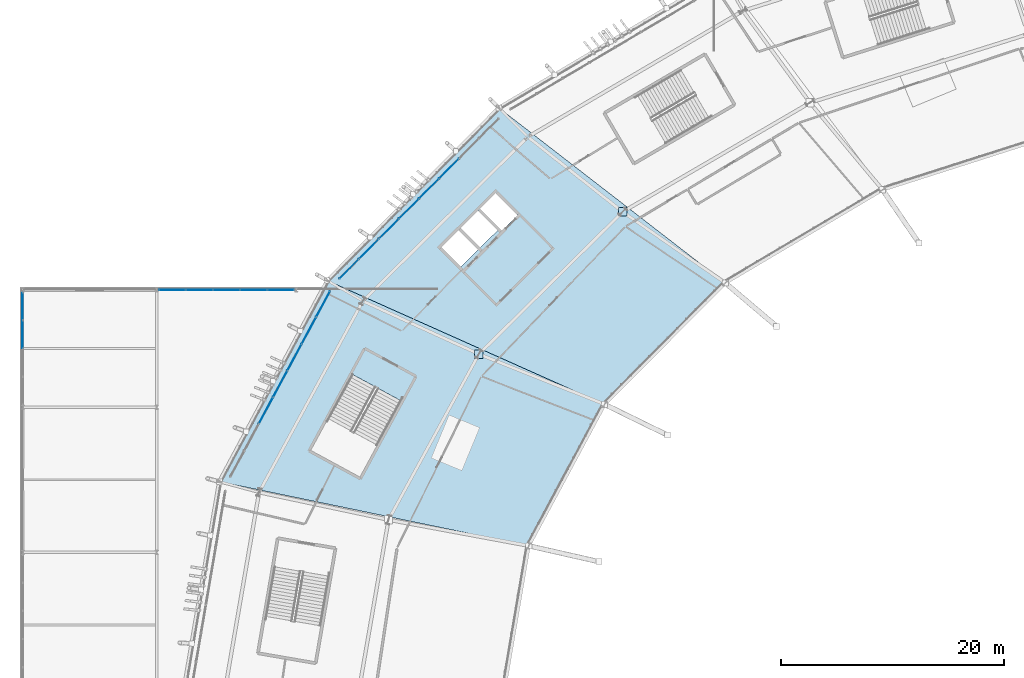
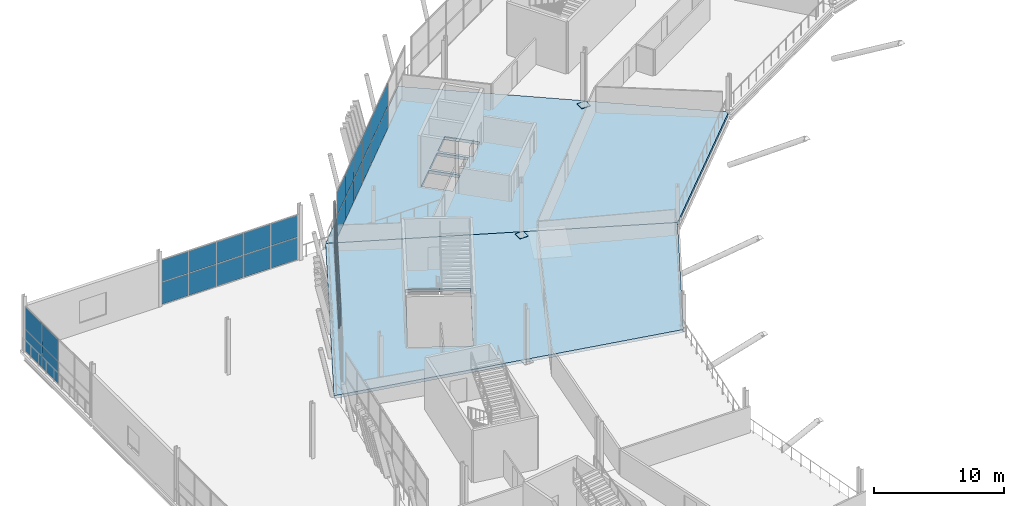
# One storey, part 85 of 168: 37 plates, 2 slabs, 4 elements without a shape of their own.
"""IFC4 building model written with IfcOpenShell, lengths in metres."""

from ifc_helpers import new_model, si_unit, direction, frame, origin, origin_2d, place, context, subcontext, project, spatial, polyline, rectangle, outline, extrude, material, layer, layer_set, type_object, element, aggregate, save


model = new_model("IFC4")

# Units and contexts
model_context = context("Model", 3, precision=1e-05, world=origin(), true_north=direction((0.0, 1.0)))
body_context = subcontext(model_context, "Body", "Model", "MODEL_VIEW")
ifc_project = project(units=[si_unit("LENGTHUNIT", "METRE"), si_unit("AREAUNIT", "SQUARE_METRE"), si_unit("VOLUMEUNIT", "CUBIC_METRE"), si_unit("PLANEANGLEUNIT", "RADIAN"), si_unit("MASSUNIT", "GRAM", prefix="KILO")], contexts=[model_context])

# Site, building, storey
site_placement = place(None, origin())
site = spatial("IfcSite", under=ifc_project, at=site_placement, CompositionType="ELEMENT")
building_placement = place(site_placement, origin())
building = spatial("IfcBuilding", under=site, at=building_placement, Name="Zlatoyarsky Gate Stadium", CompositionType="ELEMENT")
storey_placement = place(building_placement, frame((0.0, 0.0, 15.60009765625)))
storey = spatial("IfcBuildingStorey", under=building, at=storey_placement, Name="L03", CompositionType="ELEMENT", Elevation=15.60009765625)

# Slabs
ifc_material_1 = material(Name="Concrete C40/50", Category="concrete")
ifc_layer_1 = layer(ifc_material_1, 0.280029296875)
ifc_layer_set_1 = layer_set([ifc_layer_1], Name="Concrete C40/50")
slab_type = type_object("IfcSlabType", Name="CONCRETE HOSPITALITY SLAB 280", PredefinedType="FLOOR", material=ifc_layer_set_1)
slab_1_placement = place(storey_placement, frame((0.0, 0.0, -0.280029296875)))
element("IfcSlab", 1, at=slab_1_placement, inside=storey, type_object=slab_type, Name="L03 bowl sector 09 slab", PredefinedType="FLOOR", context=body_context, shape_type="SweptSolid", body=[
    extrude(outline(polyline([(52.1103515625, 106.25), (27.25341796875, 117.35107421875), (42.62109375, 132.822509765625), (62.916748046875, 117.123046875), (52.1103515625, 106.25)]), holes=[polyline([(39.02490234375, 121.870849609375), (37.46533203125, 120.319091796875), (39.228759765625, 118.547119140625), (40.7880859375, 120.0986328125), (39.02490234375, 121.870849609375)]), polyline([(40.76171875, 123.598876953125), (39.2021484375, 122.047119140625), (40.965576171875, 120.27490234375), (42.52490234375, 121.82666015625), (40.76171875, 123.598876953125)]), polyline([(42.356689453125, 125.185791015625), (40.93896484375, 123.775146484375), (42.913818359375, 121.790283203125), (44.331787109375, 123.200927734375), (42.356689453125, 125.185791015625)])]), origin(), (0.0, 0.0, 1.0), 0.280029296875),
])
slab_2_placement = place(storey_placement, frame((0.0, 0.0, -0.280029296875)))
element("IfcSlab", 2, at=slab_2_placement, inside=storey, type_object=slab_type, Name="L03 bowl sector 10 slab", PredefinedType="FLOOR", context=body_context, shape_type="SweptSolid", body=[
    extrude(outline(polyline([(45.31689453125, 93.587890625), (17.5927734375, 99.33447265625), (27.25341796875, 117.35107421875), (52.1103515625, 106.25), (45.31689453125, 93.587890625)]), holes=[polyline([(33.891845703125, 106.561279296875), (29.4970703125, 108.94580078125), (25.80126953125, 102.1337890625), (30.196044921875, 99.749267578125), (33.891845703125, 106.561279296875)])]), origin(), (0.0, 0.0, 1.0), 0.280029296875),
])

# Plates
ifc_material_2 = material(Name="Steel S355", Category="steel")
ifc_layer_2 = layer(ifc_material_2, 0.0400390625)
ifc_layer_set_2 = layer_set([ifc_layer_2], Name="Steel S355")
plate_type_1 = type_object("IfcPlateType", Name="STEEL COLUMN BASE PLATE 40", PredefinedType="USERDEFINED", material=ifc_layer_set_2)
for number, where, z_axis, x_axis, name in (
    (3, (53.724365234375, 123.487060546875, 0.0), (0.0, 0.0, 1.0), (1.0, 0.0, 0.0), "Column base plate BP-01 at RB-09 L03"),
    (4, (40.851806640625, 110.75, 0.0), (0.0, 0.0, 1.0), (1.0, 0.0, 0.0), "Column base plate BP-01 at RB-10 L03"),
):
    element("IfcPlate", number, at=place(storey_placement, frame(where, z_axis=z_axis, x_axis=x_axis)), inside=storey, type_object=plate_type_1, Name=name, ObjectType="BASE PLATE", PredefinedType="USERDEFINED", context=body_context, shape_type="SweptSolid", body=[
        extrude(rectangle(XDim=0.75, YDim=0.75, at=origin_2d()), origin(), (0.0, 0.0, 1.0), 0.0400390625),
    ])

# Curtain wall, plates
ifc_material_3 = material(Name="Thermally broken anodised aluminium curtain wall", Category="aluminium")
curtain_wall_type_1 = type_object("IfcCurtainWallType", Name="UNITISED CORPORATE BOX GLAZING L03", PredefinedType="USERDEFINED", material=ifc_material_3)
curtain_wall_1_placement = place(storey_placement, origin())
curtain_wall_1 = element("IfcCurtainWall", 5, at=curtain_wall_1_placement, inside=storey, type_object=curtain_wall_type_1, Name="Curtain wall CW-L03-09", ObjectType="UNITISED GLAZING", PredefinedType="USERDEFINED")
ifc_material_4 = material(Name="Triple-glazed argon low-e architectural glass", Category="glass")
ifc_layer_3 = layer(ifc_material_4, 0.0380859375)
ifc_layer_set_3 = layer_set([ifc_layer_3], Name="Triple-glazed argon low-e architectural glass")
plate_type_2 = type_object("IfcPlateType", Name="TRIPLE GLAZED LOW E CURTAIN PANEL 38", PredefinedType="CURTAIN_PANEL", material=ifc_layer_set_3)
plate_1_placement = place(storey_placement, frame((38.176513671875, 127.365234375, 0.06494140625), z_axis=(0.0, 0.0, 1.0), x_axis=(-0.705488725202, -0.708721143054, 0.0)))
plate_1 = element("IfcPlate", 6, at=plate_1_placement, type_object=plate_type_2, Name="CW-UG3 panel 3.1", PredefinedType="CURTAIN_PANEL", context=body_context, shape_type="SweptSolid", body=[
    extrude(rectangle(XDim=2.4755859375, YDim=0.0380859375, at=origin_2d()), origin(), (0.0, 0.0, 1.0), 2.052490234375),
])
plate_2_placement = place(storey_placement, frame((38.176513671875, 127.365234375, 2.18212890625), z_axis=(0.0, 0.0, 1.0), x_axis=(-0.705488725202, -0.708721143054, 0.0)))
plate_2 = element("IfcPlate", 7, at=plate_2_placement, type_object=plate_type_2, Name="CW-UG3 panel 3.2", PredefinedType="CURTAIN_PANEL", context=body_context, shape_type="SweptSolid", body=[
    extrude(rectangle(XDim=2.4755859375, YDim=0.0380859375, at=origin_2d()), origin(), (0.0, 0.0, 1.0), 2.132568359375),
])
plate_3_placement = place(storey_placement, frame((36.38427734375, 125.564697265625, 0.06494140625), z_axis=(0.0, 0.0, 1.0), x_axis=(-0.705488725202, -0.708721143054, 0.0)))
plate_3 = element("IfcPlate", 8, at=plate_3_placement, type_object=plate_type_2, Name="CW-UG3 panel 4.1", PredefinedType="CURTAIN_PANEL", context=body_context, shape_type="SweptSolid", body=[
    extrude(rectangle(XDim=2.4755859375, YDim=0.0380859375, at=origin_2d()), origin(), (0.0, 0.0, 1.0), 2.052490234375),
])
plate_4_placement = place(storey_placement, frame((36.38427734375, 125.564697265625, 2.18212890625), z_axis=(0.0, 0.0, 1.0), x_axis=(-0.705488725202, -0.708721143054, 0.0)))
plate_4 = element("IfcPlate", 9, at=plate_4_placement, type_object=plate_type_2, Name="CW-UG3 panel 4.2", PredefinedType="CURTAIN_PANEL", context=body_context, shape_type="SweptSolid", body=[
    extrude(rectangle(XDim=2.4755859375, YDim=0.0380859375, at=origin_2d()), origin(), (0.0, 0.0, 1.0), 2.132568359375),
])
plate_5_placement = place(storey_placement, frame((34.591796875, 123.763916015625, 0.06494140625), z_axis=(0.0, 0.0, 1.0), x_axis=(-0.705488725202, -0.708721143054, 0.0)))
plate_5 = element("IfcPlate", 10, at=plate_5_placement, type_object=plate_type_2, Name="CW-UG3 panel 5.1", PredefinedType="CURTAIN_PANEL", context=body_context, shape_type="SweptSolid", body=[
    extrude(rectangle(XDim=2.4755859375, YDim=0.0380859375, at=origin_2d()), origin(), (0.0, 0.0, 1.0), 2.052490234375),
])
plate_6_placement = place(storey_placement, frame((34.591796875, 123.763916015625, 2.18212890625), z_axis=(0.0, 0.0, 1.0), x_axis=(-0.705488725202, -0.708721143054, 0.0)))
plate_6 = element("IfcPlate", 11, at=plate_6_placement, type_object=plate_type_2, Name="CW-UG3 panel 5.2", PredefinedType="CURTAIN_PANEL", context=body_context, shape_type="SweptSolid", body=[
    extrude(rectangle(XDim=2.4755859375, YDim=0.0380859375, at=origin_2d()), origin(), (0.0, 0.0, 1.0), 2.132568359375),
])
plate_7_placement = place(storey_placement, frame((32.79931640625, 121.96337890625, 0.06494140625), z_axis=(0.0, 0.0, 1.0), x_axis=(-0.705488725202, -0.708721143054, 0.0)))
plate_7 = element("IfcPlate", 12, at=plate_7_placement, type_object=plate_type_2, Name="CW-UG3 panel 6.1", PredefinedType="CURTAIN_PANEL", context=body_context, shape_type="SweptSolid", body=[
    extrude(rectangle(XDim=2.4755859375, YDim=0.0380859375, at=origin_2d()), origin(), (0.0, 0.0, 1.0), 2.052490234375),
])
plate_8_placement = place(storey_placement, frame((32.79931640625, 121.96337890625, 2.18212890625), z_axis=(0.0, 0.0, 1.0), x_axis=(-0.705488725202, -0.708721143054, 0.0)))
plate_8 = element("IfcPlate", 13, at=plate_8_placement, type_object=plate_type_2, Name="CW-UG3 panel 6.2", PredefinedType="CURTAIN_PANEL", context=body_context, shape_type="SweptSolid", body=[
    extrude(rectangle(XDim=2.4755859375, YDim=0.0380859375, at=origin_2d()), origin(), (0.0, 0.0, 1.0), 2.132568359375),
])
plate_9_placement = place(storey_placement, frame((31.0068359375, 120.162841796875, 0.06494140625), z_axis=(0.0, 0.0, 1.0), x_axis=(-0.705488725202, -0.708721143054, 0.0)))
plate_9 = element("IfcPlate", 14, at=plate_9_placement, type_object=plate_type_2, Name="CW-UG3 panel 7.1", PredefinedType="CURTAIN_PANEL", context=body_context, shape_type="SweptSolid", body=[
    extrude(rectangle(XDim=2.4755859375, YDim=0.0380859375, at=origin_2d()), origin(), (0.0, 0.0, 1.0), 2.052490234375),
])
plate_10_placement = place(storey_placement, frame((31.0068359375, 120.162841796875, 2.18212890625), z_axis=(0.0, 0.0, 1.0), x_axis=(-0.705488725202, -0.708721143054, 0.0)))
plate_10 = element("IfcPlate", 15, at=plate_10_placement, type_object=plate_type_2, Name="CW-UG3 panel 7.2", PredefinedType="CURTAIN_PANEL", context=body_context, shape_type="SweptSolid", body=[
    extrude(rectangle(XDim=2.4755859375, YDim=0.0380859375, at=origin_2d()), origin(), (0.0, 0.0, 1.0), 2.132568359375),
])
plate_11_placement = place(storey_placement, frame((29.22607421875, 118.37353515625, 0.06494140625), z_axis=(0.0, 0.0, 1.0), x_axis=(-0.705488725202, -0.708721143054, 0.0)))
plate_11 = element("IfcPlate", 16, at=plate_11_placement, type_object=plate_type_2, Name="CW-UG3 panel 8.1", PredefinedType="CURTAIN_PANEL", context=body_context, shape_type="SweptSolid", body=[
    extrude(rectangle(XDim=2.443115234375, YDim=0.0380859375, at=origin_2d()), origin(), (0.0, 0.0, 1.0), 2.052490234375),
])
plate_12_placement = place(storey_placement, frame((29.22607421875, 118.37353515625, 2.18212890625), z_axis=(0.0, 0.0, 1.0), x_axis=(-0.705488725202, -0.708721143054, 0.0)))
plate_12 = element("IfcPlate", 17, at=plate_12_placement, type_object=plate_type_2, Name="CW-UG3 panel 8.2", PredefinedType="CURTAIN_PANEL", context=body_context, shape_type="SweptSolid", body=[
    extrude(rectangle(XDim=2.443115234375, YDim=0.0380859375, at=origin_2d()), origin(), (0.0, 0.0, 1.0), 2.132568359375),
])
aggregate(curtain_wall_1, [plate_1, plate_2, plate_3, plate_4, plate_5, plate_6, plate_7, plate_8, plate_9, plate_10, plate_11, plate_12])

curtain_wall_2_placement = place(storey_placement, origin())
curtain_wall_2 = element("IfcCurtainWall", 18, at=curtain_wall_2_placement, inside=storey, type_object=curtain_wall_type_1, Name="Curtain wall CW-L03-10", ObjectType="UNITISED GLAZING", PredefinedType="USERDEFINED")
plate_13_placement = place(storey_placement, frame((26.9033203125, 115.22119140625, 0.06494140625), z_axis=(0.0, 0.0, 1.0), x_axis=(-0.473344857694, -0.880877202392, 0.0)))
plate_13 = element("IfcPlate", 19, at=plate_13_placement, type_object=plate_type_2, Name="CW-UG3 panel 1.1", PredefinedType="CURTAIN_PANEL", context=body_context, shape_type="SweptSolid", body=[
    extrude(rectangle(XDim=2.611328125, YDim=0.0380859375, at=origin_2d()), origin(), (0.0, 0.0, 1.0), 2.052490234375),
])
plate_14_placement = place(storey_placement, frame((26.9033203125, 115.22119140625, 2.18212890625), z_axis=(0.0, 0.0, 1.0), x_axis=(-0.473344857694, -0.880877202392, 0.0)))
plate_14 = element("IfcPlate", 20, at=plate_14_placement, type_object=plate_type_2, Name="CW-UG3 panel 1.2", PredefinedType="CURTAIN_PANEL", context=body_context, shape_type="SweptSolid", body=[
    extrude(rectangle(XDim=2.611328125, YDim=0.0380859375, at=origin_2d()), origin(), (0.0, 0.0, 1.0), 2.132568359375),
])
plate_15_placement = place(storey_placement, frame((25.628662109375, 112.849365234375, 0.06494140625), z_axis=(0.0, 0.0, 1.0), x_axis=(-0.473344857694, -0.880877202392, 0.0)))
plate_15 = element("IfcPlate", 21, at=plate_15_placement, type_object=plate_type_2, Name="CW-UG3 panel 2.1", PredefinedType="CURTAIN_PANEL", context=body_context, shape_type="SweptSolid", body=[
    extrude(rectangle(XDim=2.643798828125, YDim=0.0380859375, at=origin_2d()), origin(), (0.0, 0.0, 1.0), 2.052490234375),
])
plate_16_placement = place(storey_placement, frame((25.628662109375, 112.849365234375, 2.18212890625), z_axis=(0.0, 0.0, 1.0), x_axis=(-0.473344857694, -0.880877202392, 0.0)))
plate_16 = element("IfcPlate", 22, at=plate_16_placement, type_object=plate_type_2, Name="CW-UG3 panel 2.2", PredefinedType="CURTAIN_PANEL", context=body_context, shape_type="SweptSolid", body=[
    extrude(rectangle(XDim=2.643798828125, YDim=0.0380859375, at=origin_2d()), origin(), (0.0, 0.0, 1.0), 2.132568359375),
])
plate_17_placement = place(storey_placement, frame((24.346435546875, 110.463134765625, 0.06494140625), z_axis=(0.0, 0.0, 1.0), x_axis=(-0.473344857694, -0.880877202392, 0.0)))
plate_17 = element("IfcPlate", 23, at=plate_17_placement, type_object=plate_type_2, Name="CW-UG3 panel 3.1", PredefinedType="CURTAIN_PANEL", context=body_context, shape_type="SweptSolid", body=[
    extrude(rectangle(XDim=2.643798828125, YDim=0.0380859375, at=origin_2d()), origin(), (0.0, 0.0, 1.0), 2.052490234375),
])
plate_18_placement = place(storey_placement, frame((24.346435546875, 110.463134765625, 2.18212890625), z_axis=(0.0, 0.0, 1.0), x_axis=(-0.473344857694, -0.880877202392, 0.0)))
plate_18 = element("IfcPlate", 24, at=plate_18_placement, type_object=plate_type_2, Name="CW-UG3 panel 3.2", PredefinedType="CURTAIN_PANEL", context=body_context, shape_type="SweptSolid", body=[
    extrude(rectangle(XDim=2.643798828125, YDim=0.0380859375, at=origin_2d()), origin(), (0.0, 0.0, 1.0), 2.132568359375),
])
plate_19_placement = place(storey_placement, frame((23.064453125, 108.0771484375, 0.06494140625), z_axis=(0.0, 0.0, 1.0), x_axis=(-0.473344857694, -0.880877202392, 0.0)))
plate_19 = element("IfcPlate", 25, at=plate_19_placement, type_object=plate_type_2, Name="CW-UG3 panel 4.1", PredefinedType="CURTAIN_PANEL", context=body_context, shape_type="SweptSolid", body=[
    extrude(rectangle(XDim=2.643798828125, YDim=0.0380859375, at=origin_2d()), origin(), (0.0, 0.0, 1.0), 2.052490234375),
])
plate_20_placement = place(storey_placement, frame((23.064453125, 108.0771484375, 2.18212890625), z_axis=(0.0, 0.0, 1.0), x_axis=(-0.473344857694, -0.880877202392, 0.0)))
plate_20 = element("IfcPlate", 26, at=plate_20_placement, type_object=plate_type_2, Name="CW-UG3 panel 4.2", PredefinedType="CURTAIN_PANEL", context=body_context, shape_type="SweptSolid", body=[
    extrude(rectangle(XDim=2.643798828125, YDim=0.0380859375, at=origin_2d()), origin(), (0.0, 0.0, 1.0), 2.132568359375),
])
plate_21_placement = place(storey_placement, frame((21.7822265625, 105.691162109375, 2.18212890625), z_axis=(0.0, 0.0, 1.0), x_axis=(-0.473344857694, -0.880877202392, 0.0)))
plate_21 = element("IfcPlate", 27, at=plate_21_placement, type_object=plate_type_2, Name="CW-UG3 panel 5.2", PredefinedType="CURTAIN_PANEL", context=body_context, shape_type="SweptSolid", body=[
    extrude(rectangle(XDim=2.643798828125, YDim=0.0380859375, at=origin_2d()), origin(), (0.0, 0.0, 1.0), 2.132568359375),
])
aggregate(curtain_wall_2, [plate_13, plate_14, plate_15, plate_16, plate_17, plate_18, plate_19, plate_20, plate_21])

curtain_wall_type_2 = type_object("IfcCurtainWallType", Name="WINTER GARDEN CONSERVATORY GLAZING", PredefinedType="USERDEFINED", material=ifc_material_3)
curtain_wall_3_placement = place(storey_placement, origin())
curtain_wall_3 = element("IfcCurtainWall", 28, at=curtain_wall_3_placement, inside=storey, type_object=curtain_wall_type_2, Name="Curtain wall CW-V4_WEST-L03-173", ObjectType="UNITISED GLAZING", PredefinedType="USERDEFINED")
plate_22_placement = place(storey_placement, frame((0.0, 112.514404296875, 0.06494140625), z_axis=(0.0, 0.0, 1.0), x_axis=(0.0, 1.0, 0.0)))
plate_22 = element("IfcPlate", 29, at=plate_22_placement, type_object=plate_type_2, Name="CW-WG1 panel 3.1", PredefinedType="CURTAIN_PANEL", context=body_context, shape_type="SweptSolid", body=[
    extrude(rectangle(XDim=2.464111328125, YDim=0.0380859375, at=origin_2d()), origin(), (0.0, 0.0, 1.0), 2.052490234375),
])
plate_23_placement = place(storey_placement, frame((0.0, 112.514404296875, 2.1826171875), z_axis=(0.0, 0.0, 1.0), x_axis=(0.0, 1.0, 0.0)))
plate_23 = element("IfcPlate", 30, at=plate_23_placement, type_object=plate_type_2, Name="CW-WG1 panel 3.2", PredefinedType="CURTAIN_PANEL", context=body_context, shape_type="SweptSolid", body=[
    extrude(rectangle(XDim=2.464111328125, YDim=0.0380859375, at=origin_2d()), origin(), (0.0, 0.0, 1.0), 2.032470703125),
])
plate_24_placement = place(storey_placement, frame((0.0, 115.02734375, 0.06494140625), z_axis=(0.0, 0.0, 1.0), x_axis=(0.0, 1.0, 0.0)))
plate_24 = element("IfcPlate", 31, at=plate_24_placement, type_object=plate_type_2, Name="CW-WG1 panel 4.1", PredefinedType="CURTAIN_PANEL", context=body_context, shape_type="SweptSolid", body=[
    extrude(rectangle(XDim=2.431396484375, YDim=0.0380859375, at=origin_2d()), origin(), (0.0, 0.0, 1.0), 2.052490234375),
])
plate_25_placement = place(storey_placement, frame((0.0, 115.02734375, 2.1826171875), z_axis=(0.0, 0.0, 1.0), x_axis=(0.0, 1.0, 0.0)))
plate_25 = element("IfcPlate", 32, at=plate_25_placement, type_object=plate_type_2, Name="CW-WG1 panel 4.2", PredefinedType="CURTAIN_PANEL", context=body_context, shape_type="SweptSolid", body=[
    extrude(rectangle(XDim=2.431396484375, YDim=0.0380859375, at=origin_2d()), origin(), (0.0, 0.0, 1.0), 2.032470703125),
])
aggregate(curtain_wall_3, [plate_22, plate_23, plate_24, plate_25])

curtain_wall_4_placement = place(storey_placement, origin())
curtain_wall_4 = element("IfcCurtainWall", 33, at=curtain_wall_4_placement, inside=storey, type_object=curtain_wall_type_2, Name="Curtain wall CW-V4_WEST-L03-179", ObjectType="UNITISED GLAZING", PredefinedType="USERDEFINED")
plate_26_placement = place(storey_placement, frame((13.395751953125, 116.5, 0.06494140625), z_axis=(0.0, 0.0, 1.0), x_axis=(1.0, 0.0, 0.0)))
plate_26 = element("IfcPlate", 34, at=plate_26_placement, type_object=plate_type_2, Name="CW-WG1 panel 1.1", PredefinedType="CURTAIN_PANEL", context=body_context, shape_type="SweptSolid", body=[
    extrude(rectangle(XDim=2.337646484375, YDim=0.0380859375, at=origin_2d()), origin(), (0.0, 0.0, 1.0), 2.052490234375),
])
plate_27_placement = place(storey_placement, frame((13.395751953125, 116.5, 2.1826171875), z_axis=(0.0, 0.0, 1.0), x_axis=(1.0, 0.0, 0.0)))
plate_27 = element("IfcPlate", 35, at=plate_27_placement, type_object=plate_type_2, Name="CW-WG1 panel 1.2", PredefinedType="CURTAIN_PANEL", context=body_context, shape_type="SweptSolid", body=[
    extrude(rectangle(XDim=2.337646484375, YDim=0.0380859375, at=origin_2d()), origin(), (0.0, 0.0, 1.0), 2.032470703125),
])
plate_28_placement = place(storey_placement, frame((15.814697265625, 116.5, 0.06494140625), z_axis=(0.0, 0.0, 1.0), x_axis=(1.0, 0.0, 0.0)))
plate_28 = element("IfcPlate", 36, at=plate_28_placement, type_object=plate_type_2, Name="CW-WG1 panel 2.1", PredefinedType="CURTAIN_PANEL", context=body_context, shape_type="SweptSolid", body=[
    extrude(rectangle(XDim=2.3701171875, YDim=0.0380859375, at=origin_2d()), origin(), (0.0, 0.0, 1.0), 2.052490234375),
])
plate_29_placement = place(storey_placement, frame((15.814697265625, 116.5, 2.1826171875), z_axis=(0.0, 0.0, 1.0), x_axis=(1.0, 0.0, 0.0)))
plate_29 = element("IfcPlate", 37, at=plate_29_placement, type_object=plate_type_2, Name="CW-WG1 panel 2.2", PredefinedType="CURTAIN_PANEL", context=body_context, shape_type="SweptSolid", body=[
    extrude(rectangle(XDim=2.3701171875, YDim=0.0380859375, at=origin_2d()), origin(), (0.0, 0.0, 1.0), 2.032470703125),
])
plate_30_placement = place(storey_placement, frame((18.25, 116.5, 0.06494140625), z_axis=(0.0, 0.0, 1.0), x_axis=(1.0, 0.0, 0.0)))
plate_30 = element("IfcPlate", 38, at=plate_30_placement, type_object=plate_type_2, Name="CW-WG1 panel 3.1", PredefinedType="CURTAIN_PANEL", context=body_context, shape_type="SweptSolid", body=[
    extrude(rectangle(XDim=2.3701171875, YDim=0.0380859375, at=origin_2d()), origin(), (0.0, 0.0, 1.0), 2.052490234375),
])
plate_31_placement = place(storey_placement, frame((18.25, 116.5, 2.1826171875), z_axis=(0.0, 0.0, 1.0), x_axis=(1.0, 0.0, 0.0)))
plate_31 = element("IfcPlate", 39, at=plate_31_placement, type_object=plate_type_2, Name="CW-WG1 panel 3.2", PredefinedType="CURTAIN_PANEL", context=body_context, shape_type="SweptSolid", body=[
    extrude(rectangle(XDim=2.3701171875, YDim=0.0380859375, at=origin_2d()), origin(), (0.0, 0.0, 1.0), 2.032470703125),
])
plate_32_placement = place(storey_placement, frame((20.685302734375, 116.5, 0.06494140625), z_axis=(0.0, 0.0, 1.0), x_axis=(1.0, 0.0, 0.0)))
plate_32 = element("IfcPlate", 40, at=plate_32_placement, type_object=plate_type_2, Name="CW-WG1 panel 4.1", PredefinedType="CURTAIN_PANEL", context=body_context, shape_type="SweptSolid", body=[
    extrude(rectangle(XDim=2.3701171875, YDim=0.0380859375, at=origin_2d()), origin(), (0.0, 0.0, 1.0), 2.052490234375),
])
plate_33_placement = place(storey_placement, frame((20.685302734375, 116.5, 2.1826171875), z_axis=(0.0, 0.0, 1.0), x_axis=(1.0, 0.0, 0.0)))
plate_33 = element("IfcPlate", 41, at=plate_33_placement, type_object=plate_type_2, Name="CW-WG1 panel 4.2", PredefinedType="CURTAIN_PANEL", context=body_context, shape_type="SweptSolid", body=[
    extrude(rectangle(XDim=2.3701171875, YDim=0.0380859375, at=origin_2d()), origin(), (0.0, 0.0, 1.0), 2.032470703125),
])
plate_34_placement = place(storey_placement, frame((23.104248046875, 116.5, 0.06494140625), z_axis=(0.0, 0.0, 1.0), x_axis=(1.0, 0.0, 0.0)))
plate_34 = element("IfcPlate", 42, at=plate_34_placement, type_object=plate_type_2, Name="CW-WG1 panel 5.1", PredefinedType="CURTAIN_PANEL", context=body_context, shape_type="SweptSolid", body=[
    extrude(rectangle(XDim=2.337646484375, YDim=0.0380859375, at=origin_2d()), origin(), (0.0, 0.0, 1.0), 2.052490234375),
])
plate_35_placement = place(storey_placement, frame((23.104248046875, 116.5, 2.1826171875), z_axis=(0.0, 0.0, 1.0), x_axis=(1.0, 0.0, 0.0)))
plate_35 = element("IfcPlate", 43, at=plate_35_placement, type_object=plate_type_2, Name="CW-WG1 panel 5.2", PredefinedType="CURTAIN_PANEL", context=body_context, shape_type="SweptSolid", body=[
    extrude(rectangle(XDim=2.337646484375, YDim=0.0380859375, at=origin_2d()), origin(), (0.0, 0.0, 1.0), 2.032470703125),
])
aggregate(curtain_wall_4, [plate_26, plate_27, plate_28, plate_29, plate_30, plate_31, plate_32, plate_33, plate_34, plate_35])

save(model, "model.ifc")
